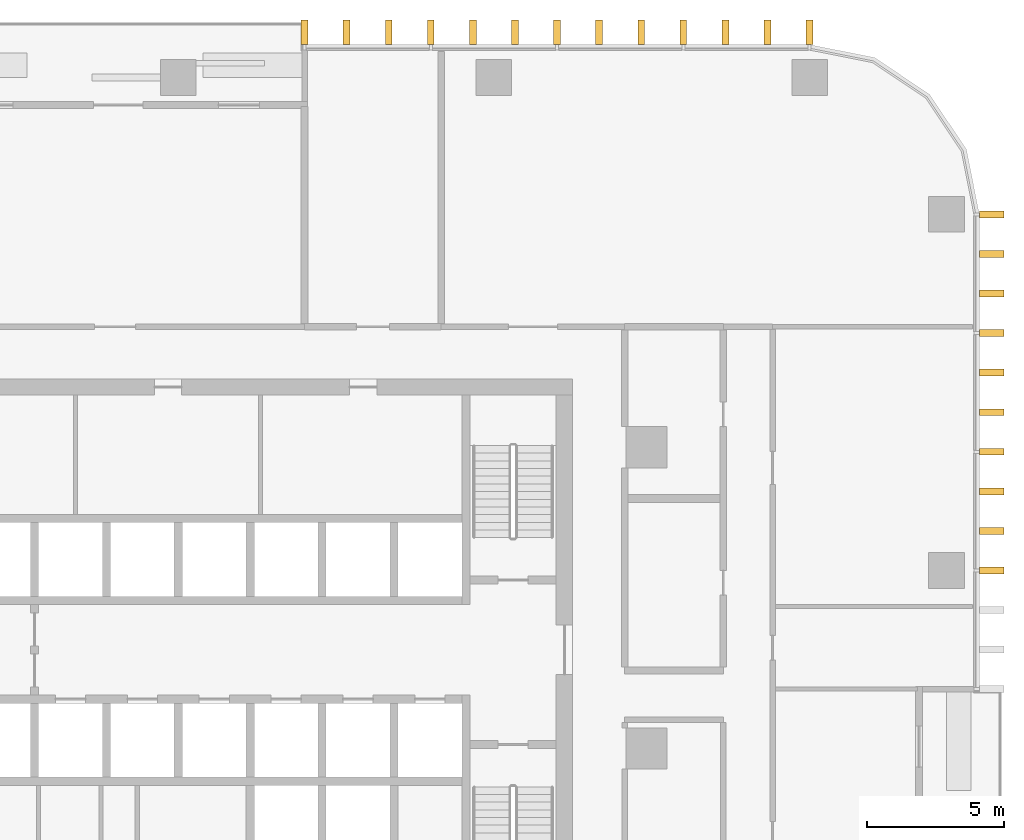
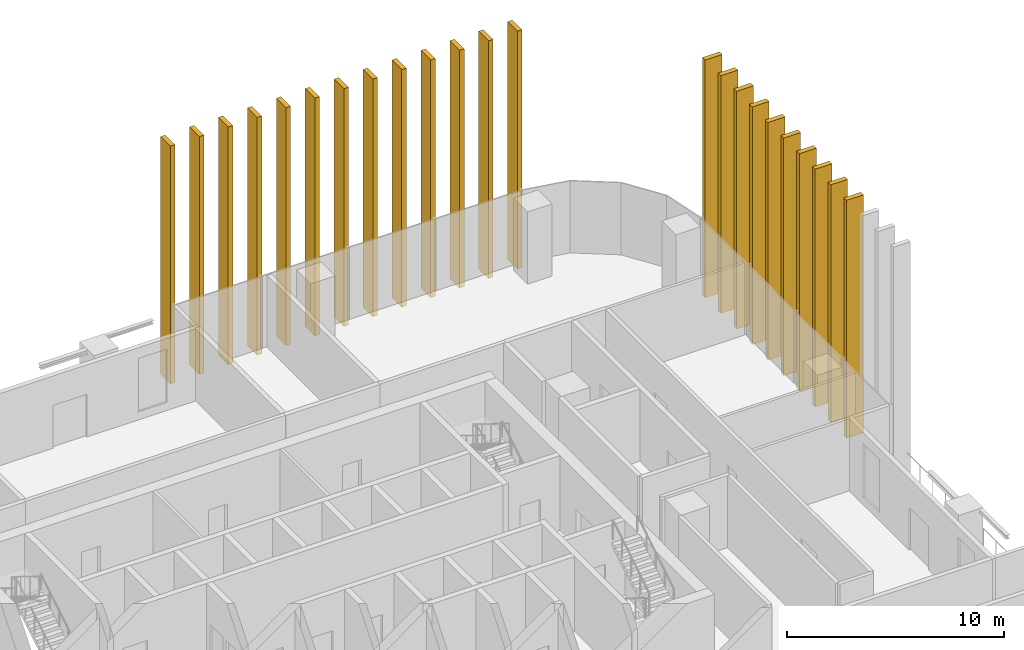
# One storey, part 17 of 17: 23 shading devices.
"""IFC4 building model written with IfcOpenShell, lengths in metres."""

import ifcopenshell
import ifcopenshell.guid

model = None  # the IFC model being written
_history = None  # IfcOwnerHistory: only IFC2X3 demands one
_inside = {}  # id of a spatial element -> (the spatial element, [elements in it])
_under = {}  # id of a project, library or spatial element -> (it, [spatial elements below it])
_declared = {}  # id of a project -> (the project, [libraries it declares])
_typed = {}  # id of a type object -> (the type object, [elements of that type])
_made_of = {}  # id of a material, layer set ... -> (it, [elements and type objects made of it])


def new_model(schema):
    """Start an empty IFC model of exactly this schema.

    Asked for "IFC4X3", IfcOpenShell would pick the latest addendum, in which some entities
    have other attributes; the version numbers below select the first issue.
    IFC2X3 requires an IfcOwnerHistory on every rooted entity: one is made here for all.
    """
    global model, _history
    if schema == "IFC4X3":
        model = ifcopenshell.file(schema_version=(4, 3, 0, 0))
    else:
        model = ifcopenshell.file(schema=schema)
    _inside.clear()
    _under.clear()
    _declared.clear()
    _typed.clear()
    _made_of.clear()
    _history = None
    if model.schema == "IFC2X3":
        org = make("IfcOrganization", Name="unknown")
        user = make(
            "IfcPersonAndOrganization",
            ThePerson=make("IfcPerson", FamilyName="unknown"),
            TheOrganization=org,
        )
        app = make(
            "IfcApplication",
            ApplicationDeveloper=org,
            Version="unknown",
            ApplicationFullName="unknown",
            ApplicationIdentifier="unknown",
        )
        _history = make(
            "IfcOwnerHistory",
            OwningUser=user,
            OwningApplication=app,
            ChangeAction="ADDED",
            CreationDate=0,
        )
    return model


def make(cls, **values):
    """One entity of the class cls with the attributes given. An attribute that is None is left unset."""
    return model.create_entity(
        cls, **{name: value for name, value in values.items() if value is not None}
    )


def rooted(cls, **values):
    """An entity with a GlobalId (a new one), such as an element, a storey or a relation."""
    return make(cls, GlobalId=ifcopenshell.guid.new(), OwnerHistory=_history, **values)


def si_unit(unit_type, name, prefix=None):
    """IfcSIUnit, for example si_unit("LENGTHUNIT", "METRE", prefix="MILLI")."""
    return make("IfcSIUnit", UnitType=unit_type, Prefix=prefix, Name=name)


def assignment(units):
    """IfcUnitAssignment: the units of a project."""
    return None if units is None else make("IfcUnitAssignment", Units=units)


def point(xyz):
    """IfcCartesianPoint."""
    return None if xyz is None else make("IfcCartesianPoint", Coordinates=xyz)


def direction(xyz):
    """IfcDirection."""
    return None if xyz is None else make("IfcDirection", DirectionRatios=xyz)


def frame(location, z_axis=None, x_axis=None):
    """IfcAxis2Placement3D, a coordinate frame: its origin and axes. An axis left out is left unset."""
    return make(
        "IfcAxis2Placement3D",
        Location=point(location),
        Axis=direction(z_axis),
        RefDirection=direction(x_axis),
    )


def frame_2d(location, x_axis=None):
    """IfcAxis2Placement2D, a coordinate frame in the plane: its origin and x axis."""
    return make(
        "IfcAxis2Placement2D", Location=point(location), RefDirection=direction(x_axis)
    )


def origin():
    """The frame at (0, 0, 0) with its axes left unset."""
    return frame((0.0, 0.0, 0.0))


def origin_2d():
    """The frame at (0, 0) in the plane with its x axis left unset."""
    return frame_2d((0.0, 0.0))


def place(relative_to, where):
    """IfcLocalPlacement: puts the frame where relative to a parent placement (None: the world)."""
    return make(
        "IfcLocalPlacement", PlacementRelTo=relative_to, RelativePlacement=where
    )


def context(
    kind, dimensions, precision=None, world=None, true_north=None, identifier=None
):
    """IfcGeometricRepresentationContext, for example the 3D "Model" context."""
    return make(
        "IfcGeometricRepresentationContext",
        ContextIdentifier=identifier,
        ContextType=kind,
        CoordinateSpaceDimension=dimensions,
        Precision=precision,
        WorldCoordinateSystem=world,
        TrueNorth=true_north,
    )


def subcontext(parent, identifier, kind, view, scale=None):
    """IfcGeometricRepresentationSubContext, for example "Body" below "Model"."""
    return make(
        "IfcGeometricRepresentationSubContext",
        ContextIdentifier=identifier,
        ContextType=kind,
        ParentContext=parent,
        TargetScale=scale,
        TargetView=view,
    )


def project(units=None, contexts=None):
    """IfcProject with its units and contexts."""
    return rooted(
        "IfcProject",
        Name="project",
        RepresentationContexts=contexts,
        UnitsInContext=assignment(units),
    )


def spatial(cls, under=None, at=None, **own):
    """A site, building, storey or space (cls), placed at a placement, below another one or the project."""
    s = rooted(cls, ObjectPlacement=at, **own)
    if under is not None:
        _under.setdefault(under.id(), (under, []))[1].append(s)
    return s


def profile(cls, at=None, kind="AREA", **sizes):
    """A parametric profile (cls). Its sizes go by their IFC names, for example OverallWidth=200.0."""
    return make(cls, ProfileType=kind, Position=at, **sizes)


def rectangle(**sizes):
    """IfcRectangleProfileDef."""
    return profile("IfcRectangleProfileDef", **sizes)


def extrude(swept, where, along, depth):
    """IfcExtrudedAreaSolid: the profile swept, set in the frame where, extruded along a direction by depth."""
    return make(
        "IfcExtrudedAreaSolid",
        SweptArea=swept,
        Position=where,
        ExtrudedDirection=direction(along),
        Depth=depth,
    )


def shape(context_of_items, identifier, shape_type, items):
    """IfcShapeRepresentation: the items that make up one representation, for example the "Body"."""
    return make(
        "IfcShapeRepresentation",
        ContextOfItems=context_of_items,
        RepresentationIdentifier=identifier,
        RepresentationType=shape_type,
        Items=items,
    )


def material(Name=None, Category=None):
    """IfcMaterial."""
    return make("IfcMaterial", Name=Name, Category=Category)


def made_of(thing, what):
    """Note that an element or type object is made of a material, layer set ...; save() writes the relation."""
    if what is not None:
        _made_of.setdefault(what.id(), (what, []))[1].append(thing)
    return thing


def type_object(cls, material=None, **own):
    """A type object (cls), such as IfcWallType, which elements share."""
    return made_of(rooted(cls, **own), material)


def element(
    cls,
    number,
    at=None,
    inside=None,
    cuts=None,
    type_object=None,
    material=None,
    context=None,
    identifier="Body",
    shape_type=None,
    held_by="IfcProductDefinitionShape",
    body=None,
    shapes=None,
    **own,
):
    """One element of the class cls, such as IfcWall. Its Tag is "e" and its number.

    at: its placement. inside: the storey or other place that contains it. cuts: it is an
    opening in that element (IfcRelVoidsElement). A single representation is given by context,
    identifier, shape_type and body (its items); several are given by shapes. held_by: the class
    of the entity that holds the representations. save() writes the other relations.
    """
    e = rooted(cls, Tag="e%d" % number, ObjectPlacement=at, **own)
    if body is not None:
        shapes = [shape(context, identifier, shape_type, body)]
    if shapes is not None:
        e.Representation = make(held_by, Representations=shapes)
    if inside is not None:
        _inside.setdefault(inside.id(), (inside, []))[1].append(e)
    if cuts is not None:
        rooted(
            "IfcRelVoidsElement", RelatingBuildingElement=cuts, RelatedOpeningElement=e
        )
    if type_object is not None:
        _typed.setdefault(type_object.id(), (type_object, []))[1].append(e)
    return made_of(e, material)


def aggregate(whole, parts):
    """IfcRelAggregates: a whole, such as a stair, and the parts it consists of."""
    return rooted("IfcRelAggregates", RelatingObject=whole, RelatedObjects=parts)


def save(model, path):
    """Write the relations noted so far, then the file.

    IfcRelAggregates (storeys below a building ...), IfcRelContainedInSpatialStructure (elements
    in a storey), IfcRelDefinesByType, IfcRelAssociatesMaterial and IfcRelDeclares: one each for
    every whole, place, type object, material and project.
    """
    for whole, parts in _under.values():
        aggregate(whole, parts)
    for where, things in _inside.values():
        rooted(
            "IfcRelContainedInSpatialStructure",
            RelatedElements=things,
            RelatingStructure=where,
        )
    for kind, things in _typed.values():
        rooted("IfcRelDefinesByType", RelatedObjects=things, RelatingType=kind)
    for what, things in _made_of.values():
        rooted("IfcRelAssociatesMaterial", RelatedObjects=things, RelatingMaterial=what)
    for by, libraries in _declared.values():
        rooted("IfcRelDeclares", RelatingContext=by, RelatedDefinitions=libraries)
    model.write(path)


model = new_model("IFC4")

# Units and contexts
model_context = context("Model", 3, precision=1e-05, world=origin(), true_north=direction((0.0, 1.0)))
body_context = subcontext(model_context, "Body", "Model", "MODEL_VIEW")
ifc_project = project(units=[si_unit("LENGTHUNIT", "METRE"), si_unit("AREAUNIT", "SQUARE_METRE"), si_unit("VOLUMEUNIT", "CUBIC_METRE"), si_unit("PLANEANGLEUNIT", "RADIAN"), si_unit("MASSUNIT", "GRAM", prefix="KILO")], contexts=[model_context])

# Site, building, storey
site_placement = place(None, origin())
site = spatial("IfcSite", under=ifc_project, at=site_placement, CompositionType="ELEMENT")
building_placement = place(site_placement, origin())
building = spatial("IfcBuilding", under=site, at=building_placement, Name="Mopane Tessera Tower", CompositionType="ELEMENT")
storey_placement = place(building_placement, frame((0.0, 0.0, 135.10009765625)))
storey = spatial("IfcBuildingStorey", under=building, at=storey_placement, Name="L27", CompositionType="ELEMENT", Elevation=135.10009765625)

# Shading devices
ifc_material = material(Name="Glazed ceramic tile")
shading_device_type = type_object("IfcShadingDeviceType", Name="Ceramic tile fin 900 x 250 mm", PredefinedType="USERDEFINED", material=ifc_material)
for number, where, z_axis, x_axis, name in (
    (1, (29.699951171875, 6.5, -0.4501953125), (0.0, 0.0, 1.0), (0.0, 1.0, 0.0), "e:fin:L27:E:6:0"),
    (2, (29.699951171875, 7.9443359375, -0.4501953125), (0.0, 0.0, 1.0), (0.0, 1.0, 0.0), "e:fin:L27:E:6:1"),
    (3, (29.699951171875, 9.388916015625, -0.4501953125), (0.0, 0.0, 1.0), (0.0, 1.0, 0.0), "e:fin:L27:E:6:2"),
    (4, (29.699951171875, 10.833251953125, -0.4501953125), (0.0, 0.0, 1.0), (0.0, 1.0, 0.0), "e:fin:L27:E:7:0"),
    (5, (29.699951171875, 12.27783203125, -0.4501953125), (0.0, 0.0, 1.0), (0.0, 1.0, 0.0), "e:fin:L27:E:7:1"),
    (6, (29.699951171875, 13.72216796875, -0.4501953125), (0.0, 0.0, 1.0), (0.0, 1.0, 0.0), "e:fin:L27:E:7:2"),
    (7, (29.699951171875, 15.166748046875, -0.4501953125), (0.0, 0.0, 1.0), (0.0, 1.0, 0.0), "e:fin:L27:E:8:0"),
    (8, (29.699951171875, 16.611083984375, -0.4501953125), (0.0, 0.0, 1.0), (0.0, 1.0, 0.0), "e:fin:L27:E:8:1"),
    (9, (29.699951171875, 18.0556640625, -0.4501953125), (0.0, 0.0, 1.0), (0.0, 1.0, 0.0), "e:fin:L27:E:8:2"),
    (10, (29.699951171875, 19.5, -0.4501953125), (0.0, 0.0, 1.0), (0.0, 1.0, 0.0), "e:fin:L27:E:8:3"),
    (11, (23.050048828125, 26.14990234375, -0.4501953125), (0.0, 0.0, 1.0), (-1.0, 0.0, 0.0), "e:fin:L27:N:0:0"),
    (12, (21.513427734375, 26.14990234375, -0.4501953125), (0.0, 0.0, 1.0), (-1.0, 0.0, 0.0), "e:fin:L27:N:0:1"),
    (13, (19.9765625, 26.14990234375, -0.4501953125), (0.0, 0.0, 1.0), (-1.0, 0.0, 0.0), "e:fin:L27:N:0:2"),
    (14, (18.43994140625, 26.14990234375, -0.4501953125), (0.0, 0.0, 1.0), (-1.0, 0.0, 0.0), "e:fin:L27:N:1:0"),
    (15, (16.9033203125, 26.14990234375, -0.4501953125), (0.0, 0.0, 1.0), (-1.0, 0.0, 0.0), "e:fin:L27:N:1:1"),
    (16, (15.36669921875, 26.14990234375, -0.4501953125), (0.0, 0.0, 1.0), (-1.0, 0.0, 0.0), "e:fin:L27:N:1:2"),
    (17, (13.830078125, 26.14990234375, -0.4501953125), (0.0, 0.0, 1.0), (-1.0, 0.0, 0.0), "e:fin:L27:N:2:0"),
    (18, (12.293212890625, 26.14990234375, -0.4501953125), (0.0, 0.0, 1.0), (-1.0, 0.0, 0.0), "e:fin:L27:N:2:1"),
    (19, (10.756591796875, 26.14990234375, -0.4501953125), (0.0, 0.0, 1.0), (-1.0, 0.0, 0.0), "e:fin:L27:N:2:2"),
    (20, (9.219970703125, 26.14990234375, -0.4501953125), (0.0, 0.0, 1.0), (-1.0, 0.0, 0.0), "e:fin:L27:N:3:0"),
    (21, (7.683349609375, 26.14990234375, -0.4501953125), (0.0, 0.0, 1.0), (-1.0, 0.0, 0.0), "e:fin:L27:N:3:1"),
    (22, (6.146728515625, 26.14990234375, -0.4501953125), (0.0, 0.0, 1.0), (-1.0, 0.0, 0.0), "e:fin:L27:N:3:2"),
    (23, (4.610107421875, 26.14990234375, -0.4501953125), (0.0, 0.0, 1.0), (-1.0, 0.0, 0.0), "e:fin:L27:N:3:3"),
):
    element("IfcShadingDevice", number, at=place(storey_placement, frame(where, z_axis=z_axis, x_axis=x_axis)), inside=storey, type_object=shading_device_type, Name=name, ObjectType="FIN", PredefinedType="USERDEFINED", context=body_context, shape_type="SweptSolid", body=[
        extrude(rectangle(XDim=0.25, YDim=0.89990234375, at=origin_2d()), origin(), (0.0, 0.0, 1.0), 13.35009765625),
    ])

save(model, "model.ifc")
